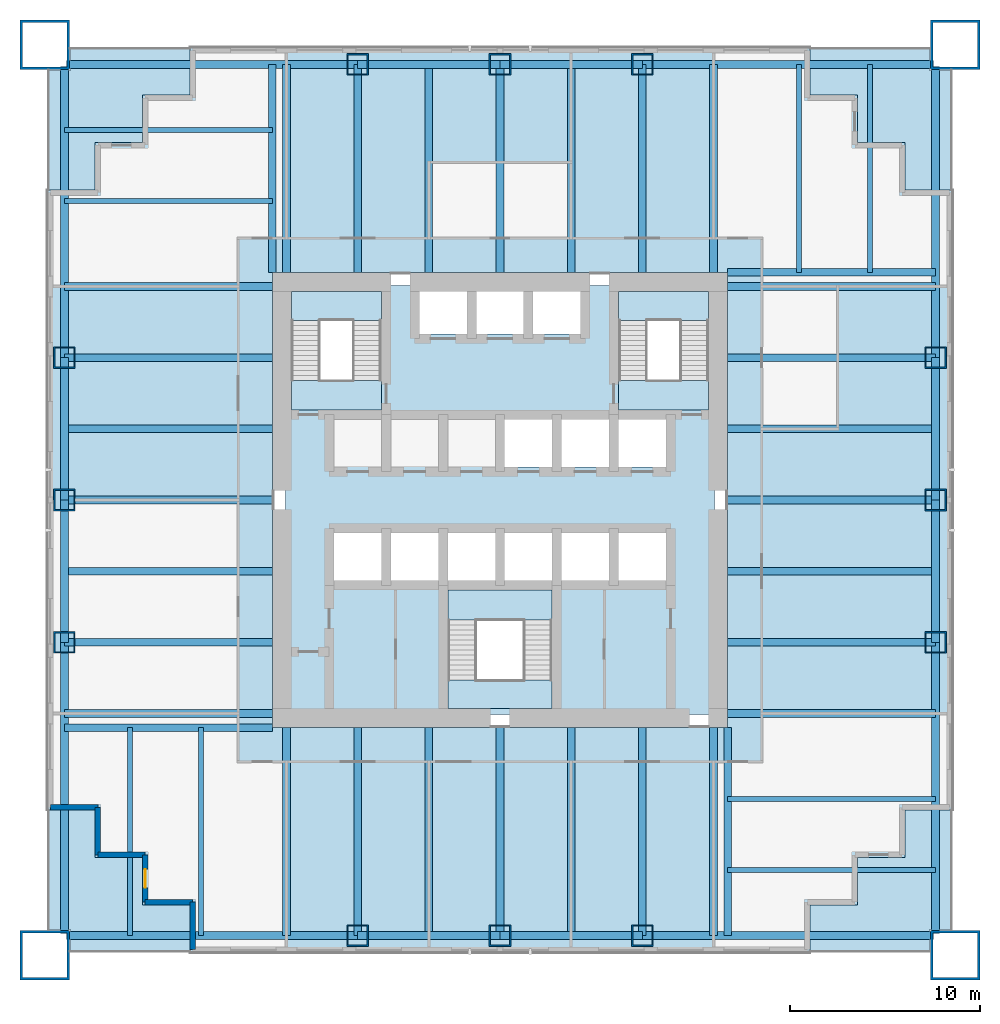
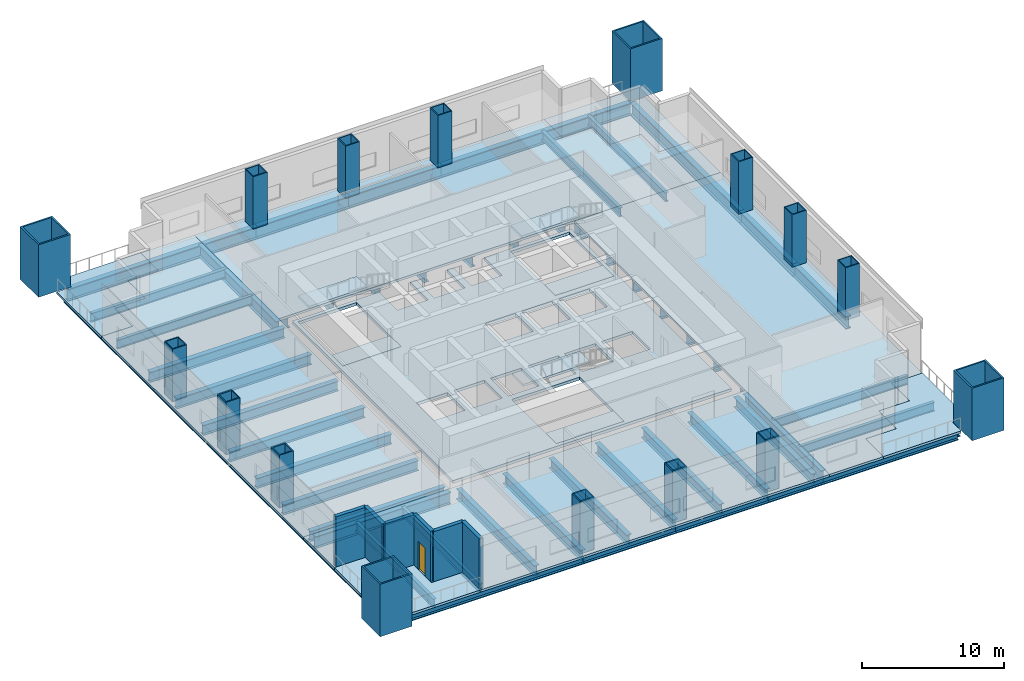
# One storey, part 1 of 7: 56 beams, 16 columns, 15 slabs, 6 walls, 1 door, 1 opening, 3 elements without a shape of their own.
"""IFC4 building model written with IfcOpenShell, lengths in metres."""

from ifc_helpers import new_model, si_unit, direction, frame, frame_2d, origin, origin_2d, place, context, subcontext, project, spatial, polyline, rectangle, hollow_rectangle, i_section, outline, extrude, material, layer, layer_set, material_profile, profile_set, type_object, element, fill, aggregate, save


model = new_model("IFC4")

# Units and contexts
model_context = context("Model", 3, precision=1e-05, world=origin(), true_north=direction((0.0, 1.0)))
body_context = subcontext(model_context, "Body", "Model", "MODEL_VIEW")
ifc_project = project(units=[si_unit("LENGTHUNIT", "METRE"), si_unit("AREAUNIT", "SQUARE_METRE"), si_unit("VOLUMEUNIT", "CUBIC_METRE"), si_unit("PLANEANGLEUNIT", "RADIAN"), si_unit("MASSUNIT", "GRAM", prefix="KILO")], contexts=[model_context])

# Site, building, storey
site_placement = place(None, origin())
site = spatial("IfcSite", under=ifc_project, at=site_placement, CompositionType="ELEMENT")
building_placement = place(site_placement, origin())
building = spatial("IfcBuilding", under=site, at=building_placement, Name="Tarangal Relay Tower", CompositionType="ELEMENT")
storey_placement = place(building_placement, frame((0.0, 0.0, 122.39990234375)))
storey = spatial("IfcBuildingStorey", under=building, at=storey_placement, Name="L24", CompositionType="ELEMENT", Elevation=122.39990234375)

# Columns
ifc_material_1 = material(Name="Steel ASTM A572 Grade 42", Category="steel")
ifc_material_profile_1 = material_profile(ifc_material_1, hollow_rectangle(XDim=2.60009765625, YDim=2.60009765625, WallThickness=0.1298828125, at=origin_2d()), Name="BOX2600X2600X130")
ifc_profile_set_1 = profile_set([ifc_material_profile_1], Name="Steel ASTM A572 Grade 42")
column_type_1 = type_object("IfcColumnType", Name="Mega column BOX2600X2600X130", PredefinedType="COLUMN", material=ifc_profile_set_1)
for number, where, z_axis, x_axis, name in (
    (1, (24.0, 24.0, 0.0), (0.0, 0.0, 1.0), (1.0, 0.0, 0.0), "Mega column MC2 NE L24"),
    (2, (24.0, -24.0, 0.0), (0.0, 0.0, 1.0), (1.0, 0.0, 0.0), "Mega column MC2 SE L24"),
    (3, (-24.0, -24.0, 0.0), (0.0, 0.0, 1.0), (1.0, 0.0, 0.0), "Mega column MC2 SW L24"),
    (4, (-24.0, 24.0, 0.0), (0.0, 0.0, 1.0), (1.0, 0.0, 0.0), "Mega column MC2 NW L24"),
):
    element("IfcColumn", number, at=place(storey_placement, frame(where, z_axis=z_axis, x_axis=x_axis)), inside=storey, type_object=column_type_1, Name=name, PredefinedType="COLUMN", context=body_context, shape_type="SweptSolid", body=[
        extrude(hollow_rectangle(XDim=2.60009765625, YDim=2.60009765625, WallThickness=0.1298828125, at=origin_2d()), origin(), (0.0, 0.0, 1.0), 4.5),
    ])
ifc_material_2 = material(Name="Steel ASTM A572 Grade 50", Category="steel")
ifc_material_profile_2 = material_profile(ifc_material_2, hollow_rectangle(XDim=1.14990234375, YDim=1.14990234375, WallThickness=0.074951171875, at=origin_2d()), Name="BOX1150X1150X75")
ifc_profile_set_2 = profile_set([ifc_material_profile_2], Name="Steel ASTM A572 Grade 50")
column_type_2 = type_object("IfcColumnType", Name="Perimeter column BOX1150X1150X75", PredefinedType="COLUMN", material=ifc_profile_set_2)
for number, where, z_axis, x_axis, name in (
    (5, (-7.5, 22.965087890625, 0.0), (0.0, 0.0, 1.0), (1.0, 0.0, 0.0), "Perimeter column PC3 N L24"),
    (6, (0.0, 22.965087890625, 0.0), (0.0, 0.0, 1.0), (1.0, 0.0, 0.0), "Perimeter column PC3 N L24"),
    (7, (7.5, 22.965087890625, 0.0), (0.0, 0.0, 1.0), (1.0, 0.0, 0.0), "Perimeter column PC3 N L24"),
    (8, (22.965087890625, 7.5, 0.0), (0.0, 0.0, 1.0), (1.0, 0.0, 0.0), "Perimeter column PC3 E L24"),
    (9, (22.965087890625, 0.0, 0.0), (0.0, 0.0, 1.0), (1.0, 0.0, 0.0), "Perimeter column PC3 E L24"),
    (10, (22.965087890625, -7.5, 0.0), (0.0, 0.0, 1.0), (1.0, 0.0, 0.0), "Perimeter column PC3 E L24"),
    (11, (7.5, -22.965087890625, 0.0), (0.0, 0.0, 1.0), (1.0, 0.0, 0.0), "Perimeter column PC3 S L24"),
    (12, (0.0, -22.965087890625, 0.0), (0.0, 0.0, 1.0), (1.0, 0.0, 0.0), "Perimeter column PC3 S L24"),
    (13, (-7.5, -22.965087890625, 0.0), (0.0, 0.0, 1.0), (1.0, 0.0, 0.0), "Perimeter column PC3 S L24"),
    (14, (-22.965087890625, -7.5, 0.0), (0.0, 0.0, 1.0), (1.0, 0.0, 0.0), "Perimeter column PC3 W L24"),
    (15, (-22.965087890625, 0.0, 0.0), (0.0, 0.0, 1.0), (1.0, 0.0, 0.0), "Perimeter column PC3 W L24"),
    (16, (-22.965087890625, 7.5, 0.0), (0.0, 0.0, 1.0), (1.0, 0.0, 0.0), "Perimeter column PC3 W L24"),
):
    element("IfcColumn", number, at=place(storey_placement, frame(where, z_axis=z_axis, x_axis=x_axis)), inside=storey, type_object=column_type_2, Name=name, PredefinedType="COLUMN", context=body_context, shape_type="SweptSolid", body=[
        extrude(hollow_rectangle(XDim=1.14990234375, YDim=1.14990234375, WallThickness=0.074951171875, at=origin_2d()), origin(), (0.0, 0.0, 1.0), 4.5),
    ])

# Beams
ifc_material_3 = material(Name="Steel ASTM A992", Category="steel")
ifc_material_profile_3 = material_profile(ifc_material_3, i_section(OverallWidth=0.2666015625, OverallDepth=0.76953125, WebThickness=0.015625, FlangeThickness=0.025390625, at=origin_2d()), Name="W30X132")
ifc_profile_set_3 = profile_set([ifc_material_profile_3], Name="Steel ASTM A992")
beam_type_1 = type_object("IfcBeamType", Name="Corner beam W30X132", PredefinedType="JOIST", material=ifc_profile_set_3)
for number, where, z_axis, x_axis, name in (
    (17, (15.75, 12.0, -0.584716796875), (0.0, 1.0, 0.0), (-1.0, 0.0, 0.0), "Corner beam CB13 N L24"),
    (18, (19.5, 12.0, -0.584716796875), (0.0, 1.0, 0.0), (-1.0, 0.0, 0.0), "Corner beam CB13 N L24"),
    (19, (12.0, -15.75, -0.584716796875), (1.0, 0.0, 0.0), (0.0, 1.0, 0.0), "Corner beam CB13 E L24"),
    (20, (12.0, -19.5, -0.584716796875), (1.0, 0.0, 0.0), (0.0, 1.0, 0.0), "Corner beam CB13 E L24"),
    (21, (-15.75, -12.0, -0.584716796875), (0.0, -1.0, 0.0), (1.0, 0.0, 0.0), "Corner beam CB13 S L24"),
    (22, (-19.5, -12.0, -0.584716796875), (0.0, -1.0, 0.0), (1.0, 0.0, 0.0), "Corner beam CB13 S L24"),
    (23, (-12.0, 15.75, -0.584716796875), (-1.0, 0.0, 0.0), (0.0, -1.0, 0.0), "Corner beam CB13 W L24"),
    (24, (-12.0, 19.5, -0.584716796875), (-1.0, 0.0, 0.0), (0.0, -1.0, 0.0), "Corner beam CB13 W L24"),
):
    element("IfcBeam", number, at=place(storey_placement, frame(where, z_axis=z_axis, x_axis=x_axis)), inside=storey, type_object=beam_type_1, Name=name, PredefinedType="JOIST", context=body_context, shape_type="SweptSolid", body=[
        extrude(i_section(OverallWidth=0.2666015625, OverallDepth=0.76953125, WebThickness=0.015625, FlangeThickness=0.025390625, at=origin_2d()), origin(), (0.0, 0.0, 1.0), 10.965087890625),
    ])
ifc_material_profile_4 = material_profile(ifc_material_3, i_section(OverallWidth=0.4013671875, OverallDepth=1.01611328125, WebThickness=0.02099609375, FlangeThickness=0.0400390625, at=origin_2d()), Name="W40X277")
ifc_profile_set_4 = profile_set([ifc_material_profile_4], Name="Steel ASTM A992")
beam_type_2 = type_object("IfcBeamType", Name="Corner girder W40X277", PredefinedType="BEAM", material=ifc_profile_set_4)
for number, where, z_axis, x_axis, name in (
    (25, (12.0, 12.0, -0.7080078125), (1.0, 0.0, 0.0), (0.0, 1.0, 0.0), "Corner girder CG3 N L24"),
    (26, (12.0, -12.0, -0.7080078125), (0.0, -1.0, 0.0), (1.0, 0.0, 0.0), "Corner girder CG3 E L24"),
    (27, (-12.0, -12.0, -0.7080078125), (-1.0, 0.0, 0.0), (0.0, -1.0, 0.0), "Corner girder CG3 S L24"),
    (28, (-12.0, 12.0, -0.7080078125), (0.0, 1.0, 0.0), (-1.0, 0.0, 0.0), "Corner girder CG3 W L24"),
):
    element("IfcBeam", number, at=place(storey_placement, frame(where, z_axis=z_axis, x_axis=x_axis)), inside=storey, type_object=beam_type_2, Name=name, PredefinedType="BEAM", context=body_context, shape_type="SweptSolid", body=[
        extrude(i_section(OverallWidth=0.4013671875, OverallDepth=1.01611328125, WebThickness=0.02099609375, FlangeThickness=0.0400390625, at=origin_2d()), origin(), (0.0, 0.0, 1.0), 10.965087890625),
    ])
ifc_material_profile_5 = material_profile(ifc_material_3, i_section(OverallWidth=0.41650390625, OverallDepth=1.0693359375, WebThickness=0.0390625, FlangeThickness=0.070068359375, at=origin_2d()), Name="W40X503")
ifc_profile_set_5 = profile_set([ifc_material_profile_5], Name="Steel ASTM A992")
beam_type_3 = type_object("IfcBeamType", Name="Edge girder W40X503", PredefinedType="SPANDREL", material=ifc_profile_set_5)
beam_1_placement = place(storey_placement, frame((-22.85009765625, 22.965087890625, -0.734619140625), z_axis=(1.0, 0.0, 0.0), x_axis=(0.0, 1.0, 0.0)))
element("IfcBeam", 29, at=beam_1_placement, inside=storey, type_object=beam_type_3, Name="Edge girder EG8 N L24", PredefinedType="SPANDREL", context=body_context, shape_type="SweptSolid", body=[
    extrude(i_section(OverallWidth=0.41650390625, OverallDepth=1.0693359375, WebThickness=0.0390625, FlangeThickness=0.070068359375, at=origin_2d()), origin(), (0.0, 0.0, 1.0), 15.35009765625),
])
for number, where, z_axis, x_axis, name in (
    (30, (-7.5, 22.965087890625, -0.734619140625), (1.0, 0.0, 0.0), (0.0, 1.0, 0.0), "Edge girder EG8 N L24"),
    (31, (0.0, 22.965087890625, -0.734619140625), (1.0, 0.0, 0.0), (0.0, 1.0, 0.0), "Edge girder EG8 N L24"),
):
    element("IfcBeam", number, at=place(storey_placement, frame(where, z_axis=z_axis, x_axis=x_axis)), inside=storey, type_object=beam_type_3, Name=name, PredefinedType="SPANDREL", context=body_context, shape_type="SweptSolid", body=[
        extrude(i_section(OverallWidth=0.41650390625, OverallDepth=1.0693359375, WebThickness=0.0390625, FlangeThickness=0.070068359375, at=origin_2d()), origin(), (0.0, 0.0, 1.0), 7.5),
    ])
for number, where, z_axis, x_axis, name in (
    (32, (7.5, 22.965087890625, -0.734619140625), (1.0, 0.0, 0.0), (0.0, 1.0, 0.0), "Edge girder EG8 N L24"),
    (33, (22.965087890625, 22.85009765625, -0.734619140625), (0.0, -1.0, 0.0), (1.0, 0.0, 0.0), "Edge girder EG8 E L24"),
):
    element("IfcBeam", number, at=place(storey_placement, frame(where, z_axis=z_axis, x_axis=x_axis)), inside=storey, type_object=beam_type_3, Name=name, PredefinedType="SPANDREL", context=body_context, shape_type="SweptSolid", body=[
        extrude(i_section(OverallWidth=0.41650390625, OverallDepth=1.0693359375, WebThickness=0.0390625, FlangeThickness=0.070068359375, at=origin_2d()), origin(), (0.0, 0.0, 1.0), 15.35009765625),
    ])
for number, where, z_axis, x_axis, name in (
    (34, (22.965087890625, 7.5, -0.734619140625), (0.0, -1.0, 0.0), (1.0, 0.0, 0.0), "Edge girder EG8 E L24"),
    (35, (22.965087890625, 0.0, -0.734619140625), (0.0, -1.0, 0.0), (1.0, 0.0, 0.0), "Edge girder EG8 E L24"),
):
    element("IfcBeam", number, at=place(storey_placement, frame(where, z_axis=z_axis, x_axis=x_axis)), inside=storey, type_object=beam_type_3, Name=name, PredefinedType="SPANDREL", context=body_context, shape_type="SweptSolid", body=[
        extrude(i_section(OverallWidth=0.41650390625, OverallDepth=1.0693359375, WebThickness=0.0390625, FlangeThickness=0.070068359375, at=origin_2d()), origin(), (0.0, 0.0, 1.0), 7.5),
    ])
for number, where, z_axis, x_axis, name in (
    (36, (22.965087890625, -7.5, -0.734619140625), (0.0, -1.0, 0.0), (1.0, 0.0, 0.0), "Edge girder EG8 E L24"),
    (37, (22.85009765625, -22.965087890625, -0.734619140625), (-1.0, 0.0, 0.0), (0.0, -1.0, 0.0), "Edge girder EG8 S L24"),
):
    element("IfcBeam", number, at=place(storey_placement, frame(where, z_axis=z_axis, x_axis=x_axis)), inside=storey, type_object=beam_type_3, Name=name, PredefinedType="SPANDREL", context=body_context, shape_type="SweptSolid", body=[
        extrude(i_section(OverallWidth=0.41650390625, OverallDepth=1.0693359375, WebThickness=0.0390625, FlangeThickness=0.070068359375, at=origin_2d()), origin(), (0.0, 0.0, 1.0), 15.35009765625),
    ])
for number, where, z_axis, x_axis, name in (
    (38, (7.5, -22.965087890625, -0.734619140625), (-1.0, 0.0, 0.0), (0.0, -1.0, 0.0), "Edge girder EG8 S L24"),
    (39, (0.0, -22.965087890625, -0.734619140625), (-1.0, 0.0, 0.0), (0.0, -1.0, 0.0), "Edge girder EG8 S L24"),
):
    element("IfcBeam", number, at=place(storey_placement, frame(where, z_axis=z_axis, x_axis=x_axis)), inside=storey, type_object=beam_type_3, Name=name, PredefinedType="SPANDREL", context=body_context, shape_type="SweptSolid", body=[
        extrude(i_section(OverallWidth=0.41650390625, OverallDepth=1.0693359375, WebThickness=0.0390625, FlangeThickness=0.070068359375, at=origin_2d()), origin(), (0.0, 0.0, 1.0), 7.5),
    ])
for number, where, z_axis, x_axis, name in (
    (40, (-7.5, -22.965087890625, -0.734619140625), (-1.0, 0.0, 0.0), (0.0, -1.0, 0.0), "Edge girder EG8 S L24"),
    (41, (-22.965087890625, -22.85009765625, -0.734619140625), (0.0, 1.0, 0.0), (-1.0, 0.0, 0.0), "Edge girder EG8 W L24"),
):
    element("IfcBeam", number, at=place(storey_placement, frame(where, z_axis=z_axis, x_axis=x_axis)), inside=storey, type_object=beam_type_3, Name=name, PredefinedType="SPANDREL", context=body_context, shape_type="SweptSolid", body=[
        extrude(i_section(OverallWidth=0.41650390625, OverallDepth=1.0693359375, WebThickness=0.0390625, FlangeThickness=0.070068359375, at=origin_2d()), origin(), (0.0, 0.0, 1.0), 15.35009765625),
    ])
for number, where, z_axis, x_axis, name in (
    (42, (-22.965087890625, -7.5, -0.734619140625), (0.0, 1.0, 0.0), (-1.0, 0.0, 0.0), "Edge girder EG8 W L24"),
    (43, (-22.965087890625, 0.0, -0.734619140625), (0.0, 1.0, 0.0), (-1.0, 0.0, 0.0), "Edge girder EG8 W L24"),
):
    element("IfcBeam", number, at=place(storey_placement, frame(where, z_axis=z_axis, x_axis=x_axis)), inside=storey, type_object=beam_type_3, Name=name, PredefinedType="SPANDREL", context=body_context, shape_type="SweptSolid", body=[
        extrude(i_section(OverallWidth=0.41650390625, OverallDepth=1.0693359375, WebThickness=0.0390625, FlangeThickness=0.070068359375, at=origin_2d()), origin(), (0.0, 0.0, 1.0), 7.5),
    ])
beam_2_placement = place(storey_placement, frame((-22.965087890625, 7.5, -0.734619140625), z_axis=(0.0, 1.0, 0.0), x_axis=(-1.0, 0.0, 0.0)))
element("IfcBeam", 44, at=beam_2_placement, inside=storey, type_object=beam_type_3, Name="Edge girder EG8 W L24", PredefinedType="SPANDREL", context=body_context, shape_type="SweptSolid", body=[
    extrude(i_section(OverallWidth=0.41650390625, OverallDepth=1.0693359375, WebThickness=0.0390625, FlangeThickness=0.070068359375, at=origin_2d()), origin(), (0.0, 0.0, 1.0), 15.35009765625),
])
ifc_material_profile_6 = material_profile(ifc_material_3, i_section(OverallWidth=0.40380859375, OverallDepth=0.86865234375, WebThickness=0.02099609375, FlangeThickness=0.03564453125, at=origin_2d()), Name="W33X241")
ifc_profile_set_6 = profile_set([ifc_material_profile_6], Name="Steel ASTM A992")
beam_type_4 = type_object("IfcBeamType", Name="Floor beam W33X241", PredefinedType="BEAM", material=ifc_profile_set_6)
for number, where, z_axis, x_axis, name in (
    (45, (-11.25, 12.0, -0.63427734375), (0.0, 1.0, 0.0), (-1.0, 0.0, 0.0), "Floor beam RB11 N L24"),
    (46, (-7.5, 12.0, -0.63427734375), (0.0, 1.0, 0.0), (-1.0, 0.0, 0.0), "Floor beam RB11 N L24"),
    (47, (-3.75, 12.0, -0.63427734375), (0.0, 1.0, 0.0), (-1.0, 0.0, 0.0), "Floor beam RB11 N L24"),
    (48, (0.0, 12.0, -0.63427734375), (0.0, 1.0, 0.0), (-1.0, 0.0, 0.0), "Floor beam RB11 N L24"),
    (49, (3.75, 12.0, -0.63427734375), (0.0, 1.0, 0.0), (-1.0, 0.0, 0.0), "Floor beam RB11 N L24"),
    (50, (7.5, 12.0, -0.63427734375), (0.0, 1.0, 0.0), (-1.0, 0.0, 0.0), "Floor beam RB11 N L24"),
    (51, (11.25, 12.0, -0.63427734375), (0.0, 1.0, 0.0), (-1.0, 0.0, 0.0), "Floor beam RB11 N L24"),
    (52, (12.0, 11.25, -0.63427734375), (1.0, 0.0, 0.0), (0.0, 1.0, 0.0), "Floor beam RB11 E L24"),
    (53, (12.0, 7.5, -0.63427734375), (1.0, 0.0, 0.0), (0.0, 1.0, 0.0), "Floor beam RB11 E L24"),
    (54, (12.0, 3.75, -0.63427734375), (1.0, 0.0, 0.0), (0.0, 1.0, 0.0), "Floor beam RB11 E L24"),
    (55, (12.0, 0.0, -0.63427734375), (1.0, 0.0, 0.0), (0.0, 1.0, 0.0), "Floor beam RB11 E L24"),
    (56, (12.0, -3.75, -0.63427734375), (1.0, 0.0, 0.0), (0.0, 1.0, 0.0), "Floor beam RB11 E L24"),
    (57, (12.0, -7.5, -0.63427734375), (1.0, 0.0, 0.0), (0.0, 1.0, 0.0), "Floor beam RB11 E L24"),
    (58, (12.0, -11.25, -0.63427734375), (1.0, 0.0, 0.0), (0.0, 1.0, 0.0), "Floor beam RB11 E L24"),
    (59, (11.25, -12.0, -0.63427734375), (0.0, -1.0, 0.0), (1.0, 0.0, 0.0), "Floor beam RB11 S L24"),
    (60, (7.5, -12.0, -0.63427734375), (0.0, -1.0, 0.0), (1.0, 0.0, 0.0), "Floor beam RB11 S L24"),
    (61, (3.75, -12.0, -0.63427734375), (0.0, -1.0, 0.0), (1.0, 0.0, 0.0), "Floor beam RB11 S L24"),
    (62, (0.0, -12.0, -0.63427734375), (0.0, -1.0, 0.0), (1.0, 0.0, 0.0), "Floor beam RB11 S L24"),
    (63, (-3.75, -12.0, -0.63427734375), (0.0, -1.0, 0.0), (1.0, 0.0, 0.0), "Floor beam RB11 S L24"),
    (64, (-7.5, -12.0, -0.63427734375), (0.0, -1.0, 0.0), (1.0, 0.0, 0.0), "Floor beam RB11 S L24"),
    (65, (-11.25, -12.0, -0.63427734375), (0.0, -1.0, 0.0), (1.0, 0.0, 0.0), "Floor beam RB11 S L24"),
    (66, (-12.0, -11.25, -0.63427734375), (-1.0, 0.0, 0.0), (0.0, -1.0, 0.0), "Floor beam RB11 W L24"),
    (67, (-12.0, -7.5, -0.63427734375), (-1.0, 0.0, 0.0), (0.0, -1.0, 0.0), "Floor beam RB11 W L24"),
    (68, (-12.0, -3.75, -0.63427734375), (-1.0, 0.0, 0.0), (0.0, -1.0, 0.0), "Floor beam RB11 W L24"),
    (69, (-12.0, 0.0, -0.63427734375), (-1.0, 0.0, 0.0), (0.0, -1.0, 0.0), "Floor beam RB11 W L24"),
    (70, (-12.0, 3.75, -0.63427734375), (-1.0, 0.0, 0.0), (0.0, -1.0, 0.0), "Floor beam RB11 W L24"),
    (71, (-12.0, 7.5, -0.63427734375), (-1.0, 0.0, 0.0), (0.0, -1.0, 0.0), "Floor beam RB11 W L24"),
    (72, (-12.0, 11.25, -0.63427734375), (-1.0, 0.0, 0.0), (0.0, -1.0, 0.0), "Floor beam RB11 W L24"),
):
    element("IfcBeam", number, at=place(storey_placement, frame(where, z_axis=z_axis, x_axis=x_axis)), inside=storey, type_object=beam_type_4, Name=name, PredefinedType="BEAM", context=body_context, shape_type="SweptSolid", body=[
        extrude(i_section(OverallWidth=0.40380859375, OverallDepth=0.86865234375, WebThickness=0.02099609375, FlangeThickness=0.03564453125, at=origin_2d()), origin(), (0.0, 0.0, 1.0), 10.965087890625),
    ])

# Slabs
ifc_material_4 = material(Name="Concrete fc' 35 MPa", Category="concrete")
ifc_layer_1 = layer(ifc_material_4, 0.25)
ifc_layer_set_1 = layer_set([ifc_layer_1], Name="Core floor slab 250")
slab_type_1 = type_object("IfcSlabType", Name="Core floor slab 250", PredefinedType="FLOOR", material=ifc_layer_set_1)
slab_1_placement = place(storey_placement, frame((0.0, 0.0, -0.25)))
element("IfcSlab", 73, at=slab_1_placement, inside=storey, type_object=slab_type_1, Name="Core floor slab L24", PredefinedType="FLOOR", context=body_context, shape_type="SweptSolid", body=[
    extrude(outline(polyline([(11.300048828125, 11.300048828125), (11.300048828125, -11.300048828125), (-11.300048828125, -11.300048828125), (-11.300048828125, 11.300048828125), (-4.25, 11.300048828125), (-4.25, 8.75), (-1.75, 8.75), (-1.75, 11.300048828125), (-1.25, 11.300048828125), (-1.25, 8.75), (1.25, 8.75), (1.25, 11.300048828125), (1.75, 11.300048828125), (1.75, 8.75), (4.25, 8.75), (4.25, 11.300048828125), (11.300048828125, 11.300048828125)]), holes=[polyline([(2.75, -4.75), (-2.75, -4.75), (-2.75, -11.0), (2.75, -11.0), (2.75, -4.75)]), polyline([(-6.25, -4.25), (-6.25, -1.75), (-8.75, -1.75), (-8.75, -4.25), (-6.25, -4.25)]), polyline([(-3.25, -4.25), (-3.25, -1.75), (-5.75, -1.75), (-5.75, -4.25), (-3.25, -4.25)]), polyline([(-0.25, -4.25), (-0.25, -1.75), (-2.75, -1.75), (-2.75, -4.25), (-0.25, -4.25)]), polyline([(2.75, 1.75), (2.75, 4.25), (0.25, 4.25), (0.25, 1.75), (2.75, 1.75)]), polyline([(-6.25, 4.75), (-6.25, 11.0), (-11.0, 11.0), (-11.0, 4.75), (-6.25, 4.75)]), polyline([(2.75, -4.25), (2.75, -1.75), (0.25, -1.75), (0.25, -4.25), (2.75, -4.25)]), polyline([(5.75, -4.25), (5.75, -1.75), (3.25, -1.75), (3.25, -4.25), (5.75, -4.25)]), polyline([(8.75, -4.25), (8.75, -1.75), (6.25, -1.75), (6.25, -4.25), (8.75, -4.25)]), polyline([(5.75, 1.75), (5.75, 4.25), (3.25, 4.25), (3.25, 1.75), (5.75, 1.75)]), polyline([(8.75, 1.75), (8.75, 4.25), (6.25, 4.25), (6.25, 1.75), (8.75, 1.75)]), polyline([(11.0, 4.75), (11.0, 11.0), (6.25, 11.0), (6.25, 4.75), (11.0, 4.75)])]), origin(), (0.0, 0.0, 1.0), 0.25),
])
ifc_layer_2 = layer(ifc_material_4, 0.199951171875)
ifc_layer_set_2 = layer_set([ifc_layer_2], Name="Floor slab 200")
slab_type_2 = type_object("IfcSlabType", Name="Floor slab 200", PredefinedType="FLOOR", material=ifc_layer_set_2)
slab_2_placement = place(storey_placement, frame((0.0, 0.0, -0.199951171875)))
element("IfcSlab", 74, at=slab_2_placement, inside=storey, type_object=slab_type_2, Name="Floor slab FS2 L24 north bay", PredefinedType="FLOOR", context=body_context, shape_type="SweptSolid", body=[
    extrude(outline(polyline([(16.35009765625, 23.85009765625), (16.35009765625, 21.35009765625), (18.85009765625, 21.35009765625), (18.85009765625, 18.85009765625), (21.35009765625, 18.85009765625), (21.35009765625, 16.35009765625), (23.85009765625, 16.35009765625), (23.85009765625, 12.0), (-12.0, 12.0), (-12.0, 23.85009765625), (16.35009765625, 23.85009765625)])), origin(), (0.0, 0.0, 1.0), 0.199951171875),
])
slab_3_placement = place(storey_placement, frame((0.0, 0.0, -0.199951171875)))
element("IfcSlab", 75, at=slab_3_placement, inside=storey, type_object=slab_type_2, Name="Floor slab FS2 L24 east bay", PredefinedType="FLOOR", context=body_context, shape_type="SweptSolid", body=[
    extrude(outline(polyline([(23.85009765625, -16.35009765625), (21.35009765625, -16.35009765625), (21.35009765625, -18.85009765625), (18.85009765625, -18.85009765625), (18.85009765625, -21.35009765625), (16.35009765625, -21.35009765625), (16.35009765625, -23.85009765625), (12.0, -23.85009765625), (12.0, 12.0), (23.85009765625, 12.0), (23.85009765625, -16.35009765625)])), origin(), (0.0, 0.0, 1.0), 0.199951171875),
])
slab_4_placement = place(storey_placement, frame((0.0, 0.0, -0.199951171875)))
element("IfcSlab", 76, at=slab_4_placement, inside=storey, type_object=slab_type_2, Name="Floor slab FS2 L24 south bay", PredefinedType="FLOOR", context=body_context, shape_type="SweptSolid", body=[
    extrude(outline(polyline([(-16.35009765625, -23.85009765625), (-16.35009765625, -21.35009765625), (-18.85009765625, -21.35009765625), (-18.85009765625, -18.85009765625), (-21.35009765625, -18.85009765625), (-21.35009765625, -16.35009765625), (-23.85009765625, -16.35009765625), (-23.85009765625, -12.0), (12.0, -12.0), (12.0, -23.85009765625), (-16.35009765625, -23.85009765625)])), origin(), (0.0, 0.0, 1.0), 0.199951171875),
])
slab_5_placement = place(storey_placement, frame((0.0, 0.0, -0.199951171875)))
element("IfcSlab", 77, at=slab_5_placement, inside=storey, type_object=slab_type_2, Name="Floor slab FS2 L24 west bay", PredefinedType="FLOOR", context=body_context, shape_type="SweptSolid", body=[
    extrude(outline(polyline([(-12.0, 23.85009765625), (-12.0, -12.0), (-23.85009765625, -12.0), (-23.85009765625, 16.35009765625), (-21.35009765625, 16.35009765625), (-21.35009765625, 18.85009765625), (-18.85009765625, 18.85009765625), (-18.85009765625, 21.35009765625), (-16.35009765625, 21.35009765625), (-16.35009765625, 23.85009765625), (-12.0, 23.85009765625)])), origin(), (0.0, 0.0, 1.0), 0.199951171875),
])

# Stair, slabs
ifc_material_5 = material(Name="Steel ASTM A992 stair flight", Category="steel")
stair_type = type_object("IfcStairType", Name="Core stair 1500", PredefinedType="HALF_TURN_STAIR", material=ifc_material_5)
stair_1_placement = place(storey_placement, origin())
stair_1 = element("IfcStair", 78, at=stair_1_placement, inside=storey, type_object=stair_type, Name="Stair ST-A L24", PredefinedType="HALF_TURN_STAIR")
ifc_layer_3 = layer(ifc_material_4, 0.199951171875)
ifc_layer_set_3 = layer_set([ifc_layer_3], Name="Stair landing 200")
slab_type_3 = type_object("IfcSlabType", Name="Stair landing 200", PredefinedType="LANDING", material=ifc_layer_set_3)
slab_6_placement = place(storey_placement, frame((0.0, 0.0, -0.199951171875)))
slab_6 = element("IfcSlab", 79, at=slab_6_placement, type_object=slab_type_3, Name="ST-A landing 1", PredefinedType="LANDING", context=body_context, shape_type="SweptSolid", body=[
    extrude(outline(polyline([(-11.0, 4.75), (-6.25, 4.75), (-6.25, 6.300048828125), (-11.0, 6.300048828125), (-11.0, 4.75)])), origin(), (0.0, 0.0, 1.0), 0.199951171875),
])
slab_7_placement = place(storey_placement, frame((0.0, 0.0, 2.050048828125)))
slab_7 = element("IfcSlab", 80, at=slab_7_placement, type_object=slab_type_3, Name="ST-A landing 2", PredefinedType="LANDING", context=body_context, shape_type="SweptSolid", body=[
    extrude(outline(polyline([(-11.0, 9.468017578125), (-6.25, 9.468017578125), (-6.25, 11.0), (-11.0, 11.0), (-11.0, 9.468017578125)])), origin(), (0.0, 0.0, 1.0), 0.199951171875),
])
aggregate(stair_1, [slab_6, slab_7])

stair_2_placement = place(storey_placement, origin())
stair_2 = element("IfcStair", 81, at=stair_2_placement, inside=storey, type_object=stair_type, Name="Stair ST-B L24", PredefinedType="HALF_TURN_STAIR")
slab_8_placement = place(storey_placement, frame((0.0, 0.0, -0.199951171875)))
slab_8 = element("IfcSlab", 82, at=slab_8_placement, type_object=slab_type_3, Name="ST-B landing 1", PredefinedType="LANDING", context=body_context, shape_type="SweptSolid", body=[
    extrude(outline(polyline([(6.25, 4.75), (11.0, 4.75), (11.0, 6.300048828125), (6.25, 6.300048828125), (6.25, 4.75)])), origin(), (0.0, 0.0, 1.0), 0.199951171875),
])
slab_9_placement = place(storey_placement, frame((0.0, 0.0, 2.050048828125)))
slab_9 = element("IfcSlab", 83, at=slab_9_placement, type_object=slab_type_3, Name="ST-B landing 2", PredefinedType="LANDING", context=body_context, shape_type="SweptSolid", body=[
    extrude(outline(polyline([(6.25, 9.468017578125), (11.0, 9.468017578125), (11.0, 11.0), (6.25, 11.0), (6.25, 9.468017578125)])), origin(), (0.0, 0.0, 1.0), 0.199951171875),
])
aggregate(stair_2, [slab_8, slab_9])

stair_3_placement = place(storey_placement, origin())
stair_3 = element("IfcStair", 84, at=stair_3_placement, inside=storey, type_object=stair_type, Name="Stair ST-C L24", PredefinedType="HALF_TURN_STAIR")
slab_10_placement = place(storey_placement, frame((0.0, 0.0, -0.199951171875)))
slab_10 = element("IfcSlab", 85, at=slab_10_placement, type_object=slab_type_3, Name="ST-C landing 1", PredefinedType="LANDING", context=body_context, shape_type="SweptSolid", body=[
    extrude(outline(polyline([(-2.75, -11.0), (2.75, -11.0), (2.75, -9.5), (-2.75, -9.5), (-2.75, -11.0)])), origin(), (0.0, 0.0, 1.0), 0.199951171875),
])
slab_11_placement = place(storey_placement, frame((0.0, 0.0, 2.050048828125)))
slab_11 = element("IfcSlab", 86, at=slab_11_placement, type_object=slab_type_3, Name="ST-C landing 2", PredefinedType="LANDING", context=body_context, shape_type="SweptSolid", body=[
    extrude(outline(polyline([(-2.75, -6.33203125), (2.75, -6.33203125), (2.75, -4.75), (-2.75, -4.75), (-2.75, -6.33203125)])), origin(), (0.0, 0.0, 1.0), 0.199951171875),
])
aggregate(stair_3, [slab_10, slab_11])

# Slabs
ifc_layer_4 = layer(ifc_material_4, 0.199951171875)
ifc_layer_set_4 = layer_set([ifc_layer_4], Name="Terrace slab 200")
slab_type_4 = type_object("IfcSlabType", Name="Terrace slab 200", PredefinedType="FLOOR", material=ifc_layer_set_4)
slab_12_placement = place(storey_placement, frame((0.0, 0.0, -0.199951171875)))
element("IfcSlab", 87, at=slab_12_placement, inside=storey, type_object=slab_type_4, Name="Corner terrace NE L24", PredefinedType="FLOOR", context=body_context, shape_type="SweptSolid", body=[
    extrude(outline(polyline([(16.35009765625, 23.85009765625), (16.35009765625, 21.35009765625), (18.85009765625, 21.35009765625), (18.85009765625, 18.85009765625), (21.35009765625, 18.85009765625), (21.35009765625, 16.35009765625), (23.85009765625, 16.35009765625), (23.85009765625, 22.64990234375), (22.64990234375, 22.64990234375), (22.64990234375, 23.85009765625), (16.35009765625, 23.85009765625)])), origin(), (0.0, 0.0, 1.0), 0.199951171875),
])
slab_13_placement = place(storey_placement, frame((0.0, 0.0, -0.199951171875)))
element("IfcSlab", 88, at=slab_13_placement, inside=storey, type_object=slab_type_4, Name="Corner terrace SE L24", PredefinedType="FLOOR", context=body_context, shape_type="SweptSolid", body=[
    extrude(outline(polyline([(23.85009765625, -16.35009765625), (21.35009765625, -16.35009765625), (21.35009765625, -18.85009765625), (18.85009765625, -18.85009765625), (18.85009765625, -21.35009765625), (16.35009765625, -21.35009765625), (16.35009765625, -23.85009765625), (22.64990234375, -23.85009765625), (22.64990234375, -22.64990234375), (23.85009765625, -22.64990234375), (23.85009765625, -16.35009765625)])), origin(), (0.0, 0.0, 1.0), 0.199951171875),
])
slab_14_placement = place(storey_placement, frame((0.0, 0.0, -0.199951171875)))
element("IfcSlab", 89, at=slab_14_placement, inside=storey, type_object=slab_type_4, Name="Corner terrace SW L24", PredefinedType="FLOOR", context=body_context, shape_type="SweptSolid", body=[
    extrude(outline(polyline([(-16.35009765625, -23.85009765625), (-16.35009765625, -21.35009765625), (-18.85009765625, -21.35009765625), (-18.85009765625, -18.85009765625), (-21.35009765625, -18.85009765625), (-21.35009765625, -16.35009765625), (-23.85009765625, -16.35009765625), (-23.85009765625, -22.64990234375), (-22.64990234375, -22.64990234375), (-22.64990234375, -23.85009765625), (-16.35009765625, -23.85009765625)])), origin(), (0.0, 0.0, 1.0), 0.199951171875),
])
slab_15_placement = place(storey_placement, frame((0.0, 0.0, -0.199951171875)))
element("IfcSlab", 90, at=slab_15_placement, inside=storey, type_object=slab_type_4, Name="Corner terrace NW L24", PredefinedType="FLOOR", context=body_context, shape_type="SweptSolid", body=[
    extrude(outline(polyline([(-23.85009765625, 16.35009765625), (-21.35009765625, 16.35009765625), (-21.35009765625, 18.85009765625), (-18.85009765625, 18.85009765625), (-18.85009765625, 21.35009765625), (-16.35009765625, 21.35009765625), (-16.35009765625, 23.85009765625), (-22.64990234375, 23.85009765625), (-22.64990234375, 22.64990234375), (-23.85009765625, 22.64990234375), (-23.85009765625, 16.35009765625)])), origin(), (0.0, 0.0, 1.0), 0.199951171875),
])

# Walls
ifc_material_6 = material(Name="Insulated precast concrete fc' 40 MPa", Category="concrete")
ifc_layer_5 = layer(ifc_material_6, 0.300048828125)
ifc_layer_set_5 = layer_set([ifc_layer_5], Name="Insulated precast concrete fc' 40 MPa")
wall_type = type_object("IfcWallType", Name="Facade wall precast 300", PredefinedType="SOLIDWALL", material=ifc_layer_set_5)
for number, where, z_axis, x_axis, name in (
    (91, (-16.199951171875, -23.699951171875, 0.0), (0.0, 0.0, 1.0), (0.0, 1.0, 0.0), "Facade wall S facade L24"),
    (92, (-16.199951171875, -21.199951171875, 0.0), (0.0, 0.0, 1.0), (-1.0, 0.0, 0.0), "Facade wall S facade L24"),
):
    element("IfcWall", number, at=place(storey_placement, frame(where, z_axis=z_axis, x_axis=x_axis)), inside=storey, type_object=wall_type, Name=name, PredefinedType="SOLIDWALL", context=body_context, shape_type="SweptSolid", body=[
        extrude(rectangle(XDim=2.5, YDim=0.300048828125, at=frame_2d((1.25, 0.0))), origin(), (0.0, 0.0, 1.0), 4.300048828125),
    ])

# Wall, opening, door
wall_placement = place(storey_placement, frame((-18.699951171875, -21.199951171875, 0.0), z_axis=(0.0, 0.0, 1.0), x_axis=(0.0, 1.0, 0.0)))
wall = element("IfcWall", 93, at=wall_placement, inside=storey, type_object=wall_type, Name="Facade wall S facade L24", PredefinedType="SOLIDWALL", context=body_context, shape_type="SweptSolid", body=[
    extrude(rectangle(XDim=2.5, YDim=0.300048828125, at=frame_2d((1.25, 0.0))), origin(), (0.0, 0.0, 1.0), 4.300048828125),
])
opening_placement = place(wall_placement, frame((0.75, 0.0, 0.0)))
opening = element("IfcOpeningElement", 94, at=opening_placement, cuts=wall, Name="Opening TD1", PredefinedType="OPENING", context=body_context, shape_type="SweptSolid", body=[
    extrude(rectangle(XDim=1.0, YDim=2.39990234375, at=frame_2d((0.5, 1.199951171875))), frame((0.0, 0.159912109375, 0.0), z_axis=(0.0, -1.0, 0.0), x_axis=(1.0, 0.0, 0.0)), (0.0, 0.0, 1.0), 0.320068359375),
])
ifc_material_7 = material(Name="Aluminium glazed door", Category="aluminium")
door_type = type_object("IfcDoorType", Name="Terrace door 1000 x 2400", OperationType="SINGLE_SWING_RIGHT", PredefinedType="DOOR", material=ifc_material_7)
door_placement = place(opening_placement, origin())
door = element("IfcDoor", 95, at=door_placement, inside=storey, type_object=door_type, Name="Terrace door TD1 SW L24", OperationType="SINGLE_SWING_RIGHT", OverallHeight=2.39990234375, OverallWidth=1.0, PredefinedType="DOOR", context=body_context, shape_type="SweptSolid", body=[
    extrude(rectangle(XDim=1.0, YDim=2.39990234375, at=frame_2d((0.5, 1.199951171875))), frame((0.0, 0.02490234375, 0.0), z_axis=(0.0, -1.0, 0.0), x_axis=(1.0, 0.0, 0.0)), (0.0, 0.0, 1.0), 0.050048828125),
])
fill(opening, door)

# Walls
for number, where, z_axis, x_axis, name in (
    (96, (-18.699951171875, -18.699951171875, 0.0), (0.0, 0.0, 1.0), (-1.0, 0.0, 0.0), "Facade wall S facade L24"),
    (97, (-21.199951171875, -18.699951171875, 0.0), (0.0, 0.0, 1.0), (0.0, 1.0, 0.0), "Facade wall S facade L24"),
    (98, (-21.199951171875, -16.199951171875, 0.0), (0.0, 0.0, 1.0), (-1.0, 0.0, 0.0), "Facade wall S facade L24"),
):
    element("IfcWall", number, at=place(storey_placement, frame(where, z_axis=z_axis, x_axis=x_axis)), inside=storey, type_object=wall_type, Name=name, PredefinedType="SOLIDWALL", context=body_context, shape_type="SweptSolid", body=[
        extrude(rectangle(XDim=2.5, YDim=0.300048828125, at=frame_2d((1.25, 0.0))), origin(), (0.0, 0.0, 1.0), 4.300048828125),
    ])

save(model, "model.ifc")
